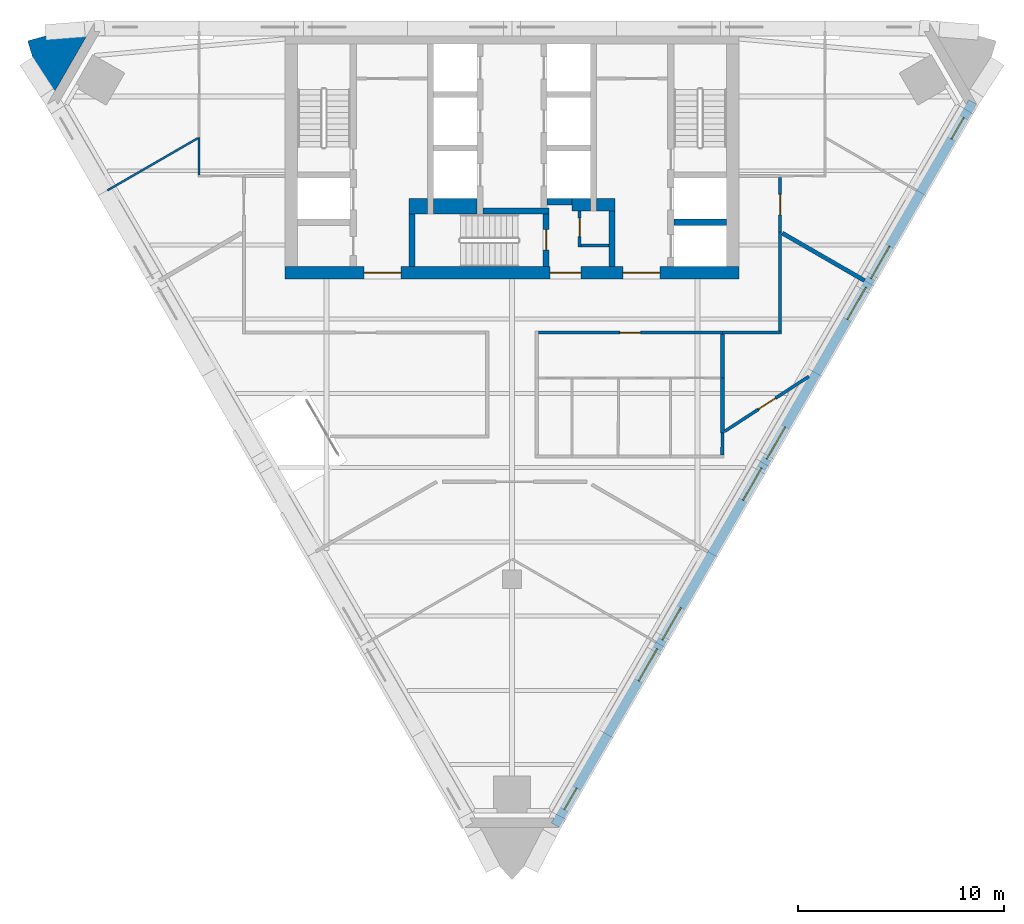
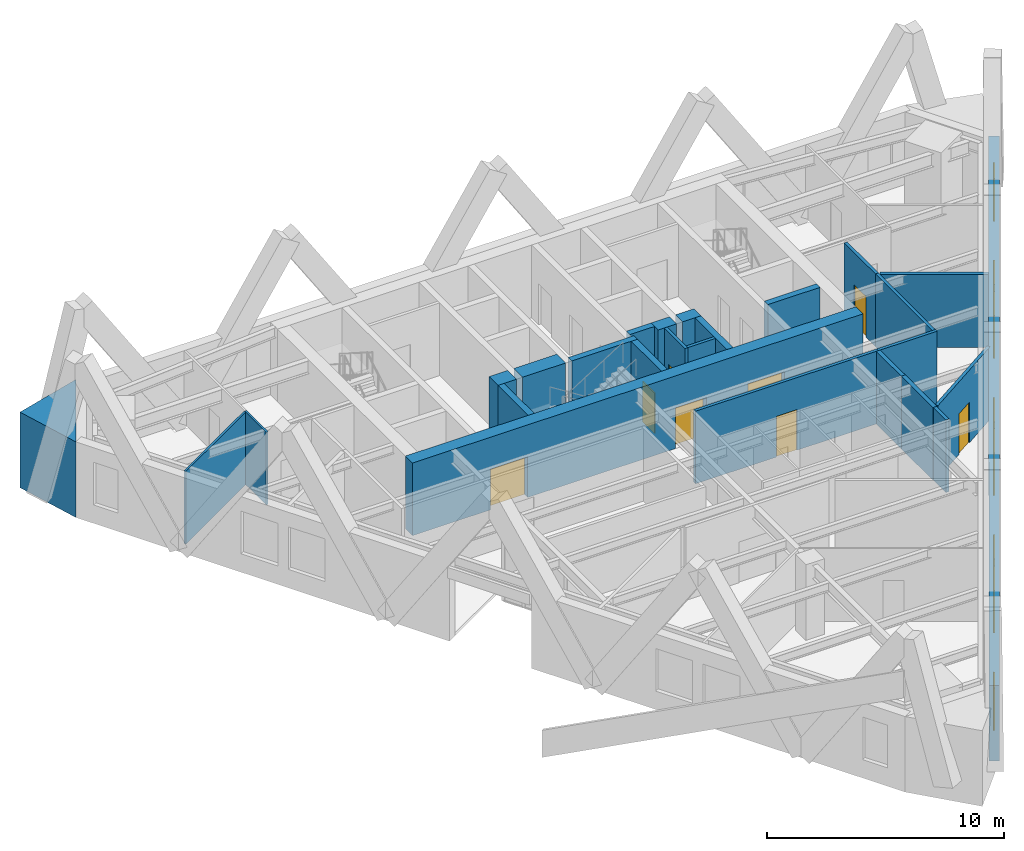
# One storey, part 5 of 9: 26 walls, 8 doors, 8 windows, 16 openings.
"""IFC4 building model written with IfcOpenShell, lengths in metres."""

from ifc_helpers import new_model, si_unit, direction, frame, frame_2d, origin, place, context, subcontext, project, spatial, polyline, rectangle, outline, extrude, material, layer, layer_set, type_object, element, fill, save


model = new_model("IFC4")

# Units and contexts
model_context = context("Model", 3, precision=1e-05, world=origin(), true_north=direction((0.0, 1.0)))
body_context = subcontext(model_context, "Body", "Model", "MODEL_VIEW")
ifc_project = project(units=[si_unit("LENGTHUNIT", "METRE"), si_unit("AREAUNIT", "SQUARE_METRE"), si_unit("VOLUMEUNIT", "CUBIC_METRE"), si_unit("PLANEANGLEUNIT", "RADIAN"), si_unit("MASSUNIT", "GRAM", prefix="KILO")], contexts=[model_context])

# Site, building, storey
site_placement = place(None, origin())
site = spatial("IfcSite", under=ifc_project, at=site_placement, CompositionType="ELEMENT")
building_placement = place(site_placement, origin())
building = spatial("IfcBuilding", under=site, at=building_placement, Name="Aloe Facet Convention Tower", CompositionType="ELEMENT")
storey_placement = place(building_placement, frame((0.0, 0.0, 152.0)))
storey = spatial("IfcBuildingStorey", under=building, at=storey_placement, Name="L38", CompositionType="ELEMENT", Elevation=152.0)

# Wall, opening, door
ifc_material_1 = material(Name="Concrete blockwork partition", Category="masonry")
ifc_layer_1 = layer(ifc_material_1, 0.14990234375)
ifc_layer_set_1 = layer_set([ifc_layer_1], Name="CR-W-PART150")
wall_type_1 = type_object("IfcWallType", Name="CR-W-PART150", PredefinedType="PARTITIONING", material=ifc_layer_set_1)
wall_1_placement = place(storey_placement, frame((83.27490234375, 125.85009765625, 0.0), z_axis=(0.0, 0.0, 1.0), x_axis=(0.0, -1.0, 0.0)))
wall_1 = element("IfcWall", 1, at=wall_1_placement, inside=storey, type_object=wall_type_1, Name="Core partition L38-022", PredefinedType="PARTITIONING", context=body_context, shape_type="SweptSolid", body=[
    extrude(rectangle(XDim=1.75, YDim=0.14990234375, at=frame_2d((0.875, 0.0))), origin(), (0.0, 0.0, 1.0), 3.75),
])
opening_1_placement = place(wall_1_placement, frame((0.35009765625, 0.0, 0.0)))
opening_1 = element("IfcOpeningElement", 2, at=opening_1_placement, cuts=wall_1, Name="Opening L38-CD12", PredefinedType="OPENING", context=body_context, shape_type="SweptSolid", body=[
    extrude(rectangle(XDim=0.89990234375, YDim=2.10009765625, at=frame_2d((0.449951171875, 1.050048828125))), frame((0.0, 0.0849609375, 0.0), z_axis=(0.0, -1.0, 0.0), x_axis=(1.0, 0.0, 0.0)), (0.0, 0.0, 1.0), 0.169921875),
])
ifc_material_2 = material(Name="Steel fire-resisting door set FD60", Category="steel")
door_type_1 = type_object("IfcDoorType", Name="CR-D-REFUGE-900-FD60-SRIGHT", OperationType="SINGLE_SWING_RIGHT", PredefinedType="DOOR", material=ifc_material_2)
door_1_placement = place(opening_1_placement, origin())
door_1 = element("IfcDoor", 3, at=door_1_placement, inside=storey, type_object=door_type_1, Name="Core door L38-CD12", OperationType="SINGLE_SWING_RIGHT", OverallHeight=2.10009765625, OverallWidth=0.89990234375, PredefinedType="DOOR", context=body_context, shape_type="SweptSolid", body=[
    extrude(rectangle(XDim=0.89990234375, YDim=2.10009765625, at=frame_2d((0.449951171875, 1.050048828125))), frame((0.0, 0.02490234375, 0.0), z_axis=(0.0, -1.0, 0.0), x_axis=(1.0, 0.0, 0.0)), (0.0, 0.0, 1.0), 0.050048828125),
])
fill(opening_1, door_1)

# Walls
wall_2_placement = place(storey_placement, frame((83.35009765625, 124.175048828125, 0.0), z_axis=(0.0, 0.0, 1.0), x_axis=(1.0, 0.0, 0.0)))
element("IfcWall", 4, at=wall_2_placement, inside=storey, type_object=wall_type_1, Name="Core partition L38-023", PredefinedType="PARTITIONING", context=body_context, shape_type="SweptSolid", body=[
    extrude(rectangle(XDim=1.349853515625, YDim=0.14990234375, at=frame_2d((0.6748046875, 0.0))), origin(), (0.0, 0.0, 1.0), 3.75),
])
ifc_material_3 = material(Name="Concrete C60/75", Category="concrete")
ifc_layer_2 = layer(ifc_material_3, 0.300048828125)
ifc_layer_set_2 = layer_set([ifc_layer_2], Name="CR-W-RC300-C6075")
wall_type_2 = type_object("IfcWallType", Name="CR-W-RC300-C6075", PredefinedType="SOLIDWALL", material=ifc_layer_set_2)
wall_3_placement = place(storey_placement, frame((75.14990234375, 125.699951171875, 0.0), z_axis=(0.0, 0.0, 1.0), x_axis=(0.0, -1.0, 0.0)))
element("IfcWall", 5, at=wall_3_placement, inside=storey, type_object=wall_type_2, Name="Core wall L38-009", PredefinedType="SOLIDWALL", context=body_context, shape_type="SweptSolid", body=[
    extrude(rectangle(XDim=2.550048828125, YDim=0.300048828125, at=frame_2d((1.27490234375, 0.0))), origin(), (0.0, 0.0, 1.0), 3.75),
])
wall_4_placement = place(storey_placement, frame((78.60009765625, 125.85009765625, 0.0), z_axis=(0.0, 0.0, 1.0), x_axis=(1.0, 0.0, 0.0)))
element("IfcWall", 6, at=wall_4_placement, inside=storey, type_object=wall_type_2, Name="Core wall L38-015", PredefinedType="SOLIDWALL", context=body_context, shape_type="SweptSolid", body=[
    extrude(rectangle(XDim=3.199951171875, YDim=0.300048828125, at=frame_2d((1.60009765625, 0.0))), origin(), (0.0, 0.0, 1.0), 3.75),
])

# Wall, opening, door
wall_5_placement = place(storey_placement, frame((81.64990234375, 125.699951171875, 0.0), z_axis=(0.0, 0.0, 1.0), x_axis=(0.0, -1.0, 0.0)))
wall_5 = element("IfcWall", 7, at=wall_5_placement, inside=storey, type_object=wall_type_2, Name="Core wall L38-017", PredefinedType="SOLIDWALL", context=body_context, shape_type="SweptSolid", body=[
    extrude(rectangle(XDim=2.550048828125, YDim=0.300048828125, at=frame_2d((1.27490234375, 0.0))), origin(), (0.0, 0.0, 1.0), 3.75),
])
opening_2_placement = place(wall_5_placement, frame((0.75, 0.0, 0.0)))
opening_2 = element("IfcOpeningElement", 8, at=opening_2_placement, cuts=wall_5, Name="Opening L38-CD18", PredefinedType="OPENING", context=body_context, shape_type="SweptSolid", body=[
    extrude(rectangle(XDim=1.0, YDim=2.10009765625, at=frame_2d((0.5, 1.050048828125))), frame((0.0, 0.16015625, 0.0), z_axis=(0.0, -1.0, 0.0), x_axis=(1.0, 0.0, 0.0)), (0.0, 0.0, 1.0), 0.320068359375),
])
ifc_material_4 = material(Name="Steel fire-resisting door set FD120", Category="steel")
door_type_2 = type_object("IfcDoorType", Name="CR-D-STAIR-1000-FD120-SLEFT", OperationType="SINGLE_SWING_LEFT", PredefinedType="DOOR", material=ifc_material_4)
door_2_placement = place(opening_2_placement, origin())
door_2 = element("IfcDoor", 9, at=door_2_placement, inside=storey, type_object=door_type_2, Name="Core door L38-CD18", OperationType="SINGLE_SWING_LEFT", OverallHeight=2.10009765625, OverallWidth=1.0, PredefinedType="DOOR", context=body_context, shape_type="SweptSolid", body=[
    extrude(rectangle(XDim=1.0, YDim=2.10009765625, at=frame_2d((0.5, 1.050048828125))), frame((0.0, 0.02490234375, 0.0), z_axis=(0.0, -1.0, 0.0), x_axis=(1.0, 0.0, 0.0)), (0.0, 0.0, 1.0), 0.050048828125),
])
fill(opening_2, door_2)

# Walls
wall_6_placement = place(storey_placement, frame((81.699951171875, 126.300048828125, 0.0), z_axis=(0.0, 0.0, 1.0), x_axis=(1.0, 0.0, 0.0)))
element("IfcWall", 10, at=wall_6_placement, inside=storey, type_object=wall_type_2, Name="Core wall L38-020", PredefinedType="SOLIDWALL", context=body_context, shape_type="SweptSolid", body=[
    extrude(rectangle(XDim=1.199951171875, YDim=0.300048828125, at=frame_2d((0.60009765625, 0.0))), origin(), (0.0, 0.0, 1.0), 3.75),
])
wall_7_placement = place(storey_placement, frame((84.85009765625, 125.85009765625, 0.0), z_axis=(0.0, 0.0, 1.0), x_axis=(0.0, -1.0, 0.0)))
element("IfcWall", 11, at=wall_7_placement, inside=storey, type_object=wall_type_2, Name="Core wall L38-027", PredefinedType="SOLIDWALL", context=body_context, shape_type="SweptSolid", body=[
    extrude(rectangle(XDim=2.7001953125, YDim=0.300048828125, at=frame_2d((1.35009765625, 0.0))), origin(), (0.0, 0.0, 1.0), 3.75),
])
wall_8_placement = place(storey_placement, frame((87.85009765625, 125.300048828125, 0.0), z_axis=(0.0, 0.0, 1.0), x_axis=(1.0, 0.0, 0.0)))
element("IfcWall", 12, at=wall_8_placement, inside=storey, type_object=wall_type_2, Name="Core wall L38-030", PredefinedType="SOLIDWALL", context=body_context, shape_type="SweptSolid", body=[
    extrude(rectangle(XDim=2.5498046875, YDim=0.300048828125, at=frame_2d((1.27490234375, 0.0))), origin(), (0.0, 0.0, 1.0), 3.75),
])

# Wall, openings, doors
ifc_material_5 = material(Name="Concrete C60/75", Category="concrete")
ifc_layer_3 = layer(ifc_material_5, 0.60009765625)
ifc_layer_set_3 = layer_set([ifc_layer_3], Name="CR-W-RC600-C6075")
wall_type_3 = type_object("IfcWallType", Name="CR-W-RC600-C6075", PredefinedType="SOLIDWALL", material=ifc_layer_set_3)
wall_9_placement = place(storey_placement, frame((69.0, 122.85009765625, 0.0), z_axis=(0.0, 0.0, 1.0), x_axis=(1.0, 0.0, 0.0)))
wall_9 = element("IfcWall", 13, at=wall_9_placement, inside=storey, type_object=wall_type_3, Name="Core wall L38-003", PredefinedType="SOLIDWALL", context=body_context, shape_type="SweptSolid", body=[
    extrude(rectangle(XDim=22.0, YDim=0.60009765625, at=frame_2d((11.0, 0.0))), origin(), (0.0, 0.0, 1.0), 3.75),
])
opening_3_placement = place(wall_9_placement, frame((16.375, 0.0, 0.0)))
opening_3 = element("IfcOpeningElement", 14, at=opening_3_placement, cuts=wall_9, Name="Opening L38-CD09", PredefinedType="OPENING", context=body_context, shape_type="SweptSolid", body=[
    extrude(rectangle(XDim=1.800048828125, YDim=2.10009765625, at=frame_2d((0.89990234375, 1.050048828125))), frame((0.0, 0.31005859375, 0.0), z_axis=(0.0, -1.0, 0.0), x_axis=(1.0, 0.0, 0.0)), (0.0, 0.0, 1.0), 0.6201171875),
])
opening_4_placement = place(wall_9_placement, frame((3.824951171875, 0.0, 0.0)))
opening_4 = element("IfcOpeningElement", 15, at=opening_4_placement, cuts=wall_9, Name="Opening L38-CD10", PredefinedType="OPENING", context=body_context, shape_type="SweptSolid", body=[
    extrude(rectangle(XDim=1.800048828125, YDim=2.10009765625, at=frame_2d((0.89990234375, 1.050048828125))), frame((0.0, 0.31005859375, 0.0), z_axis=(0.0, -1.0, 0.0), x_axis=(1.0, 0.0, 0.0)), (0.0, 0.0, 1.0), 0.6201171875),
])
opening_5_placement = place(wall_9_placement, frame((12.85009765625, 0.0, 0.0)))
opening_5 = element("IfcOpeningElement", 16, at=opening_5_placement, cuts=wall_9, Name="Opening L38-CD11", PredefinedType="OPENING", context=body_context, shape_type="SweptSolid", body=[
    extrude(rectangle(XDim=1.5, YDim=2.10009765625, at=frame_2d((0.75, 1.050048828125))), frame((0.0, 0.31005859375, 0.0), z_axis=(0.0, -1.0, 0.0), x_axis=(1.0, 0.0, 0.0)), (0.0, 0.0, 1.0), 0.6201171875),
])
ifc_material_6 = material(Name="Steel fire-resisting door set FD60", Category="steel")
door_type_3 = type_object("IfcDoorType", Name="CR-D-EXIT-1500-FD60-DD", OperationType="DOUBLE_DOOR_DOUBLE_SWING", PredefinedType="DOOR", material=ifc_material_6)
door_3_placement = place(opening_5_placement, origin())
door_3 = element("IfcDoor", 17, at=door_3_placement, inside=storey, type_object=door_type_3, Name="Core door L38-CD11", OperationType="DOUBLE_DOOR_DOUBLE_SWING", OverallHeight=2.10009765625, OverallWidth=1.5, PredefinedType="DOOR", context=body_context, shape_type="SweptSolid", body=[
    extrude(rectangle(XDim=1.5, YDim=2.10009765625, at=frame_2d((0.75, 1.050048828125))), frame((0.0, 0.02490234375, 0.0), z_axis=(0.0, -1.0, 0.0), x_axis=(1.0, 0.0, 0.0)), (0.0, 0.0, 1.0), 0.050048828125),
])
fill(opening_5, door_3)
ifc_material_7 = material(Name="Steel fire-resisting door set FD120", Category="steel")
door_type_4 = type_object("IfcDoorType", Name="CR-D-EXIT-1800-FD120-DD", OperationType="DOUBLE_DOOR_DOUBLE_SWING", PredefinedType="DOOR", material=ifc_material_7)
door_4_placement = place(opening_3_placement, origin())
door_4 = element("IfcDoor", 18, at=door_4_placement, inside=storey, type_object=door_type_4, Name="Core door L38-CD09", OperationType="DOUBLE_DOOR_DOUBLE_SWING", OverallHeight=2.10009765625, OverallWidth=1.800048828125, PredefinedType="DOOR", context=body_context, shape_type="SweptSolid", body=[
    extrude(rectangle(XDim=1.800048828125, YDim=2.10009765625, at=frame_2d((0.89990234375, 1.050048828125))), frame((0.0, 0.02490234375, 0.0), z_axis=(0.0, -1.0, 0.0), x_axis=(1.0, 0.0, 0.0)), (0.0, 0.0, 1.0), 0.050048828125),
])
fill(opening_3, door_4)
door_5_placement = place(opening_4_placement, origin())
door_5 = element("IfcDoor", 19, at=door_5_placement, inside=storey, type_object=door_type_4, Name="Core door L38-CD10", OperationType="DOUBLE_DOOR_DOUBLE_SWING", OverallHeight=2.10009765625, OverallWidth=1.800048828125, PredefinedType="DOOR", context=body_context, shape_type="SweptSolid", body=[
    extrude(rectangle(XDim=1.800048828125, YDim=2.10009765625, at=frame_2d((0.89990234375, 1.050048828125))), frame((0.0, 0.02490234375, 0.0), z_axis=(0.0, -1.0, 0.0), x_axis=(1.0, 0.0, 0.0)), (0.0, 0.0, 1.0), 0.050048828125),
])
fill(opening_4, door_5)

# Walls
wall_10_placement = place(storey_placement, frame((82.89990234375, 126.14990234375, 0.0), z_axis=(0.0, 0.0, 1.0), x_axis=(1.0, 0.0, 0.0)))
element("IfcWall", 20, at=wall_10_placement, inside=storey, type_object=wall_type_3, Name="Core wall L38-021", PredefinedType="SOLIDWALL", context=body_context, shape_type="SweptSolid", body=[
    extrude(rectangle(XDim=0.900146484375, YDim=0.60009765625, at=frame_2d((0.4501953125, 0.0))), origin(), (0.0, 0.0, 1.0), 3.75),
])
wall_11_placement = place(storey_placement, frame((84.10009765625, 126.14990234375, 0.0), z_axis=(0.0, 0.0, 1.0), x_axis=(1.0, 0.0, 0.0)))
element("IfcWall", 21, at=wall_11_placement, inside=storey, type_object=wall_type_3, Name="Core wall L38-026", PredefinedType="SOLIDWALL", context=body_context, shape_type="SweptSolid", body=[
    extrude(rectangle(XDim=0.89990234375, YDim=0.60009765625, at=frame_2d((0.449951171875, 0.0))), origin(), (0.0, 0.0, 1.0), 3.75),
])
ifc_material_8 = material(Name="Concrete C60/75", Category="concrete")
ifc_layer_4 = layer(ifc_material_8, 0.75)
ifc_layer_set_4 = layer_set([ifc_layer_4], Name="CR-W-RC750-C6075")
wall_type_4 = type_object("IfcWallType", Name="CR-W-RC750-C6075", PredefinedType="SOLIDWALL", material=ifc_layer_set_4)
wall_12_placement = place(storey_placement, frame((75.0, 126.074951171875, 0.0), z_axis=(0.0, 0.0, 1.0), x_axis=(1.0, 0.0, 0.0)))
element("IfcWall", 22, at=wall_12_placement, inside=storey, type_object=wall_type_4, Name="Core wall L38-008", PredefinedType="SOLIDWALL", context=body_context, shape_type="SweptSolid", body=[
    extrude(rectangle(XDim=0.89990234375, YDim=0.75, at=frame_2d((0.449951171875, 0.0))), origin(), (0.0, 0.0, 1.0), 3.75),
])
wall_13_placement = place(storey_placement, frame((76.199951171875, 126.074951171875, 0.0), z_axis=(0.0, 0.0, 1.0), x_axis=(1.0, 0.0, 0.0)))
element("IfcWall", 23, at=wall_13_placement, inside=storey, type_object=wall_type_4, Name="Core wall L38-013", PredefinedType="SOLIDWALL", context=body_context, shape_type="SweptSolid", body=[
    extrude(rectangle(XDim=2.10009765625, YDim=0.75, at=frame_2d((1.050048828125, 0.0))), origin(), (0.0, 0.0, 1.0), 3.75),
])
ifc_material_9 = material(Name="Precast concrete C40/50", Category="concrete")
ifc_layer_5 = layer(ifc_material_9, 3.947998046875)
ifc_layer_set_5 = layer_set([ifc_layer_5], Name="EV-WALL-SPINE")
wall_type_5 = type_object("IfcWallType", Name="EV-WALL-SPINE", PredefinedType="SOLIDWALL", material=ifc_layer_set_5)
wall_14_placement = place(storey_placement, frame((0.0, 0.0, -0.14990234375)))
element("IfcWall", 24, at=wall_14_placement, inside=storey, type_object=wall_type_5, Name="SP-NW-L38", PredefinedType="SOLIDWALL", context=body_context, shape_type="SweptSolid", body=[
    extrude(outline(polyline([(59.7568359375, 135.0), (56.51171875, 134.09716796875), (57.45703125, 131.016357421875), (59.7568359375, 135.0)])), origin(), (0.0, 0.0, 1.0), 3.89990234375),
])

# Wall, openings, windows
ifc_material_10 = material(Name="Precast concrete C40/50", Category="concrete")
ifc_layer_6 = layer(ifc_material_10, 0.449951171875)
ifc_layer_set_6 = layer_set([ifc_layer_6], Name="EV-WALL-STONE")
wall_type_6 = type_object("IfcWallType", Name="EV-WALL-STONE", PredefinedType="SOLIDWALL", material=ifc_layer_set_6)
wall_15_placement = place(storey_placement, frame((82.105224609375, 96.066650390625, -0.14990234375), z_axis=(0.0, 0.0, 1.0), x_axis=(0.499997369791, 0.866026922331, 0.0)))
wall_15 = element("IfcWall", 25, at=wall_15_placement, inside=storey, type_object=wall_type_6, Name="EW-L38-E01", PredefinedType="SOLIDWALL", context=body_context, shape_type="SweptSolid", body=[
    extrude(outline(polyline([(40.486083984375, 0.0), (40.486083984375, 3.89990234375), (0.0, 3.89990234375), (0.0, 0.0), (40.486083984375, 0.0)])), frame((0.0, 0.22509765625, 0.0), z_axis=(0.0, -1.0, 0.0), x_axis=(1.0, 0.0, 0.0)), (0.0, 0.0, 1.0), 0.449951171875),
])
opening_6_placement = place(wall_15_placement, frame((0.86962890625, 0.0, 0.949951171875)))
opening_6 = element("IfcOpeningElement", 26, at=opening_6_placement, cuts=wall_15, Name="Opening W-L38-E01", PredefinedType="OPENING", context=body_context, shape_type="SweptSolid", body=[
    extrude(rectangle(XDim=1.199951171875, YDim=2.199951171875, at=frame_2d((0.60009765625, 1.10009765625))), frame((0.0, 0.23486328125, 0.0), z_axis=(0.0, -1.0, 0.0), x_axis=(1.0, 0.0, 0.0)), (0.0, 0.0, 1.0), 0.469970703125),
])
opening_7_placement = place(wall_15_placement, frame((8.071533203125, 0.0, 0.949951171875)))
opening_7 = element("IfcOpeningElement", 27, at=opening_7_placement, cuts=wall_15, Name="Opening W-L38-E02", PredefinedType="OPENING", context=body_context, shape_type="SweptSolid", body=[
    extrude(rectangle(XDim=1.800048828125, YDim=2.199951171875, at=frame_2d((0.89990234375, 1.10009765625))), frame((0.0, 0.23486328125, 0.0), z_axis=(0.0, -1.0, 0.0), x_axis=(1.0, 0.0, 0.0)), (0.0, 0.0, 1.0), 0.469970703125),
])
opening_8_placement = place(wall_15_placement, frame((10.37158203125, 0.0, 0.949951171875)))
opening_8 = element("IfcOpeningElement", 28, at=opening_8_placement, cuts=wall_15, Name="Opening W-L38-E03", PredefinedType="OPENING", context=body_context, shape_type="SweptSolid", body=[
    extrude(rectangle(XDim=1.800048828125, YDim=2.199951171875, at=frame_2d((0.89990234375, 1.10009765625))), frame((0.0, 0.23486328125, 0.0), z_axis=(0.0, -1.0, 0.0), x_axis=(1.0, 0.0, 0.0)), (0.0, 0.0, 1.0), 0.469970703125),
])
opening_9_placement = place(wall_15_placement, frame((18.193115234375, 0.0, 0.949951171875)))
opening_9 = element("IfcOpeningElement", 29, at=opening_9_placement, cuts=wall_15, Name="Opening W-L38-E04", PredefinedType="OPENING", context=body_context, shape_type="SweptSolid", body=[
    extrude(rectangle(XDim=1.800048828125, YDim=2.199951171875, at=frame_2d((0.89990234375, 1.10009765625))), frame((0.0, 0.23486328125, 0.0), z_axis=(0.0, -1.0, 0.0), x_axis=(1.0, 0.0, 0.0)), (0.0, 0.0, 1.0), 0.469970703125),
])
opening_10_placement = place(wall_15_placement, frame((20.4931640625, 0.0, 0.949951171875)))
opening_10 = element("IfcOpeningElement", 30, at=opening_10_placement, cuts=wall_15, Name="Opening W-L38-E05", PredefinedType="OPENING", context=body_context, shape_type="SweptSolid", body=[
    extrude(rectangle(XDim=1.800048828125, YDim=2.199951171875, at=frame_2d((0.89990234375, 1.10009765625))), frame((0.0, 0.23486328125, 0.0), z_axis=(0.0, -1.0, 0.0), x_axis=(1.0, 0.0, 0.0)), (0.0, 0.0, 1.0), 0.469970703125),
])
opening_11_placement = place(wall_15_placement, frame((28.314697265625, 0.0, 0.949951171875)))
opening_11 = element("IfcOpeningElement", 31, at=opening_11_placement, cuts=wall_15, Name="Opening W-L38-E06", PredefinedType="OPENING", context=body_context, shape_type="SweptSolid", body=[
    extrude(rectangle(XDim=1.800048828125, YDim=2.199951171875, at=frame_2d((0.89990234375, 1.10009765625))), frame((0.0, 0.23486328125, 0.0), z_axis=(0.0, -1.0, 0.0), x_axis=(1.0, 0.0, 0.0)), (0.0, 0.0, 1.0), 0.469970703125),
])
opening_12_placement = place(wall_15_placement, frame((30.614501953125, 0.0, 0.949951171875)))
opening_12 = element("IfcOpeningElement", 32, at=opening_12_placement, cuts=wall_15, Name="Opening W-L38-E07", PredefinedType="OPENING", context=body_context, shape_type="SweptSolid", body=[
    extrude(rectangle(XDim=1.800048828125, YDim=2.199951171875, at=frame_2d((0.89990234375, 1.10009765625))), frame((0.0, 0.23486328125, 0.0), z_axis=(0.0, -1.0, 0.0), x_axis=(1.0, 0.0, 0.0)), (0.0, 0.0, 1.0), 0.469970703125),
])
opening_13_placement = place(wall_15_placement, frame((38.41650390625, 0.0, 0.949951171875)))
opening_13 = element("IfcOpeningElement", 33, at=opening_13_placement, cuts=wall_15, Name="Opening W-L38-E08", PredefinedType="OPENING", context=body_context, shape_type="SweptSolid", body=[
    extrude(rectangle(XDim=1.199951171875, YDim=2.199951171875, at=frame_2d((0.60009765625, 1.10009765625))), frame((0.0, 0.23486328125, 0.0), z_axis=(0.0, -1.0, 0.0), x_axis=(1.0, 0.0, 0.0)), (0.0, 0.0, 1.0), 0.469970703125),
])
ifc_material_11 = material(Name="Aluminium frame, clear double glazing", Category="aluminium")
window_type_1 = type_object("IfcWindowType", Name="EV-WIN-O12", PartitioningType="SINGLE_PANEL", PredefinedType="WINDOW", material=ifc_material_11)
window_1_placement = place(opening_6_placement, origin())
window_1 = element("IfcWindow", 34, at=window_1_placement, inside=storey, type_object=window_type_1, Name="W-L38-E01", OverallHeight=2.199951171875, OverallWidth=1.199951171875, PartitioningType="SINGLE_PANEL", PredefinedType="WINDOW", context=body_context, shape_type="SweptSolid", body=[
    extrude(rectangle(XDim=1.199951171875, YDim=2.199951171875, at=frame_2d((0.60009765625, 1.10009765625))), frame((0.0, 0.030029296875, 0.0), z_axis=(0.0, -1.0, 0.0), x_axis=(1.0, 0.0, 0.0)), (0.0, 0.0, 1.0), 0.06005859375),
])
fill(opening_6, window_1)
window_2_placement = place(opening_13_placement, origin())
window_2 = element("IfcWindow", 35, at=window_2_placement, inside=storey, type_object=window_type_1, Name="W-L38-E08", OverallHeight=2.199951171875, OverallWidth=1.199951171875, PartitioningType="SINGLE_PANEL", PredefinedType="WINDOW", context=body_context, shape_type="SweptSolid", body=[
    extrude(rectangle(XDim=1.199951171875, YDim=2.199951171875, at=frame_2d((0.60009765625, 1.10009765625))), frame((0.0, 0.030029296875, 0.0), z_axis=(0.0, -1.0, 0.0), x_axis=(1.0, 0.0, 0.0)), (0.0, 0.0, 1.0), 0.06005859375),
])
fill(opening_13, window_2)
ifc_material_12 = material(Name="Aluminium frame, clear double glazing", Category="aluminium")
window_type_2 = type_object("IfcWindowType", Name="EV-WIN-O18", PartitioningType="SINGLE_PANEL", PredefinedType="WINDOW", material=ifc_material_12)
window_3_placement = place(opening_7_placement, origin())
window_3 = element("IfcWindow", 36, at=window_3_placement, inside=storey, type_object=window_type_2, Name="W-L38-E02", OverallHeight=2.199951171875, OverallWidth=1.800048828125, PartitioningType="SINGLE_PANEL", PredefinedType="WINDOW", context=body_context, shape_type="SweptSolid", body=[
    extrude(rectangle(XDim=1.800048828125, YDim=2.199951171875, at=frame_2d((0.89990234375, 1.10009765625))), frame((0.0, 0.030029296875, 0.0), z_axis=(0.0, -1.0, 0.0), x_axis=(1.0, 0.0, 0.0)), (0.0, 0.0, 1.0), 0.06005859375),
])
fill(opening_7, window_3)
window_4_placement = place(opening_8_placement, origin())
window_4 = element("IfcWindow", 37, at=window_4_placement, inside=storey, type_object=window_type_2, Name="W-L38-E03", OverallHeight=2.199951171875, OverallWidth=1.800048828125, PartitioningType="SINGLE_PANEL", PredefinedType="WINDOW", context=body_context, shape_type="SweptSolid", body=[
    extrude(rectangle(XDim=1.800048828125, YDim=2.199951171875, at=frame_2d((0.89990234375, 1.10009765625))), frame((0.0, 0.030029296875, 0.0), z_axis=(0.0, -1.0, 0.0), x_axis=(1.0, 0.0, 0.0)), (0.0, 0.0, 1.0), 0.06005859375),
])
fill(opening_8, window_4)
window_5_placement = place(opening_9_placement, origin())
window_5 = element("IfcWindow", 38, at=window_5_placement, inside=storey, type_object=window_type_2, Name="W-L38-E04", OverallHeight=2.199951171875, OverallWidth=1.800048828125, PartitioningType="SINGLE_PANEL", PredefinedType="WINDOW", context=body_context, shape_type="SweptSolid", body=[
    extrude(rectangle(XDim=1.800048828125, YDim=2.199951171875, at=frame_2d((0.89990234375, 1.10009765625))), frame((0.0, 0.030029296875, 0.0), z_axis=(0.0, -1.0, 0.0), x_axis=(1.0, 0.0, 0.0)), (0.0, 0.0, 1.0), 0.06005859375),
])
fill(opening_9, window_5)
window_6_placement = place(opening_10_placement, origin())
window_6 = element("IfcWindow", 39, at=window_6_placement, inside=storey, type_object=window_type_2, Name="W-L38-E05", OverallHeight=2.199951171875, OverallWidth=1.800048828125, PartitioningType="SINGLE_PANEL", PredefinedType="WINDOW", context=body_context, shape_type="SweptSolid", body=[
    extrude(rectangle(XDim=1.800048828125, YDim=2.199951171875, at=frame_2d((0.89990234375, 1.10009765625))), frame((0.0, 0.030029296875, 0.0), z_axis=(0.0, -1.0, 0.0), x_axis=(1.0, 0.0, 0.0)), (0.0, 0.0, 1.0), 0.06005859375),
])
fill(opening_10, window_6)
window_7_placement = place(opening_11_placement, origin())
window_7 = element("IfcWindow", 40, at=window_7_placement, inside=storey, type_object=window_type_2, Name="W-L38-E06", OverallHeight=2.199951171875, OverallWidth=1.800048828125, PartitioningType="SINGLE_PANEL", PredefinedType="WINDOW", context=body_context, shape_type="SweptSolid", body=[
    extrude(rectangle(XDim=1.800048828125, YDim=2.199951171875, at=frame_2d((0.89990234375, 1.10009765625))), frame((0.0, 0.030029296875, 0.0), z_axis=(0.0, -1.0, 0.0), x_axis=(1.0, 0.0, 0.0)), (0.0, 0.0, 1.0), 0.06005859375),
])
fill(opening_11, window_7)
window_8_placement = place(opening_12_placement, origin())
window_8 = element("IfcWindow", 41, at=window_8_placement, inside=storey, type_object=window_type_2, Name="W-L38-E07", OverallHeight=2.199951171875, OverallWidth=1.800048828125, PartitioningType="SINGLE_PANEL", PredefinedType="WINDOW", context=body_context, shape_type="SweptSolid", body=[
    extrude(rectangle(XDim=1.800048828125, YDim=2.199951171875, at=frame_2d((0.89990234375, 1.10009765625))), frame((0.0, 0.030029296875, 0.0), z_axis=(0.0, -1.0, 0.0), x_axis=(1.0, 0.0, 0.0)), (0.0, 0.0, 1.0), 0.06005859375),
])
fill(opening_12, window_8)

# Wall
ifc_material_13 = material(Name="Gypsum board partition on steel studs", Category="steel")
ifc_layer_7 = layer(ifc_material_13, 0.14990234375)
ifc_layer_set_7 = layer_set([ifc_layer_7], Name="IN-W-CORR")
wall_type_7 = type_object("IfcWallType", Name="IN-W-CORR", PredefinedType="PARTITIONING", material=ifc_layer_set_7)
wall_16_placement = place(storey_placement, frame((90.1982421875, 114.02490234375, 0.0), z_axis=(0.0, 0.0, 1.0), x_axis=(0.001606976805, 0.999998708812, 0.0)))
element("IfcWall", 42, at=wall_16_placement, inside=storey, type_object=wall_type_7, Name="Partition L38-W010", PredefinedType="PARTITIONING", context=body_context, shape_type="SweptSolid", body=[
    extrude(rectangle(XDim=1.0634765625, YDim=0.14990234375, at=frame_2d((0.53173828125, 0.0))), origin(), (0.0, 0.0, 1.0), 3.75),
])

# Wall, opening, door
wall_17_placement = place(storey_placement, frame((90.32568359375, 115.17041015625, 0.0), z_axis=(0.0, 0.0, 1.0), x_axis=(0.837619592687, 0.546253986665, 0.0)))
wall_17 = element("IfcWall", 43, at=wall_17_placement, inside=storey, type_object=wall_type_7, Name="Partition L38-W014", PredefinedType="PARTITIONING", context=body_context, shape_type="SweptSolid", body=[
    extrude(rectangle(XDim=4.859130859375, YDim=0.14990234375, at=frame_2d((2.4296875, 0.0))), origin(), (0.0, 0.0, 1.0), 3.75),
])
opening_14_placement = place(wall_17_placement, frame((1.9296875, 0.0, 0.0)))
opening_14 = element("IfcOpeningElement", 44, at=opening_14_placement, cuts=wall_17, Name="Opening L38-010", PredefinedType="OPENING", context=body_context, shape_type="SweptSolid", body=[
    extrude(rectangle(XDim=1.0, YDim=2.10009765625, at=frame_2d((0.5, 1.050048828125))), frame((0.0, 0.0849609375, 0.0), z_axis=(0.0, -1.0, 0.0), x_axis=(1.0, 0.0, 0.0)), (0.0, 0.0, 1.0), 0.169921875),
])
ifc_material_14 = material(Name="Timber door FD30S with vision panel", Category="wood")
door_type_5 = type_object("IfcDoorType", Name="IN-OFF-D-ENTRY", OperationType="SINGLE_SWING_LEFT", PredefinedType="DOOR", material=ifc_material_14)
door_6_placement = place(opening_14_placement, origin())
door_6 = element("IfcDoor", 45, at=door_6_placement, inside=storey, type_object=door_type_5, Name="Door L38-010", OperationType="SINGLE_SWING_LEFT", OverallHeight=2.10009765625, OverallWidth=1.0, PredefinedType="DOOR", context=body_context, shape_type="SweptSolid", body=[
    extrude(rectangle(XDim=1.0, YDim=2.10009765625, at=frame_2d((0.5, 1.050048828125))), frame((0.0, 0.02490234375, 0.0), z_axis=(0.0, -1.0, 0.0), x_axis=(1.0, 0.0, 0.0)), (0.0, 0.0, 1.0), 0.050048828125),
])
fill(opening_14, door_6)

wall_18_placement = place(storey_placement, frame((81.27490234375, 119.947998046875, 0.0), z_axis=(0.0, 0.0, 1.0), x_axis=(0.999999976055, 0.000218836333, 0.0)))
wall_18 = element("IfcWall", 46, at=wall_18_placement, inside=storey, type_object=wall_type_7, Name="Partition L38-W027", PredefinedType="PARTITIONING", context=body_context, shape_type="SweptSolid", body=[
    extrude(rectangle(XDim=8.925048828125, YDim=0.14990234375, at=frame_2d((4.46240234375, 0.0))), origin(), (0.0, 0.0, 1.0), 3.75),
])
opening_15_placement = place(wall_18_placement, frame((3.96240234375, 0.0, 0.0)))
opening_15 = element("IfcOpeningElement", 47, at=opening_15_placement, cuts=wall_18, Name="Opening L38-001", PredefinedType="OPENING", context=body_context, shape_type="SweptSolid", body=[
    extrude(rectangle(XDim=1.0, YDim=2.10009765625, at=frame_2d((0.5, 1.050048828125))), frame((0.0, 0.0849609375, 0.0), z_axis=(0.0, -1.0, 0.0), x_axis=(1.0, 0.0, 0.0)), (0.0, 0.0, 1.0), 0.169921875),
])
door_7_placement = place(opening_15_placement, origin())
door_7 = element("IfcDoor", 48, at=door_7_placement, inside=storey, type_object=door_type_5, Name="Door L38-001", OperationType="SINGLE_SWING_LEFT", OverallHeight=2.10009765625, OverallWidth=1.0, PredefinedType="DOOR", context=body_context, shape_type="SweptSolid", body=[
    extrude(rectangle(XDim=1.0, YDim=2.10009765625, at=frame_2d((0.5, 1.050048828125))), frame((0.0, 0.02490234375, 0.0), z_axis=(0.0, -1.0, 0.0), x_axis=(1.0, 0.0, 0.0)), (0.0, 0.0, 1.0), 0.050048828125),
])
fill(opening_15, door_7)

# Walls
wall_19_placement = place(storey_placement, frame((90.199951171875, 119.949951171875, 0.0), z_axis=(0.0, 0.0, 1.0), x_axis=(1.0, 0.0, 0.0)))
element("IfcWall", 49, at=wall_19_placement, inside=storey, type_object=wall_type_7, Name="Partition L38-W028", PredefinedType="PARTITIONING", context=body_context, shape_type="SweptSolid", body=[
    extrude(rectangle(XDim=2.875, YDim=0.14990234375, at=frame_2d((1.4375, 0.0))), origin(), (0.0, 0.0, 1.0), 3.75),
])
wall_20_placement = place(storey_placement, frame((93.0, 120.02490234375, 0.0), z_axis=(0.0, 0.0, 1.0), x_axis=(0.0, 1.0, 0.0)))
element("IfcWall", 50, at=wall_20_placement, inside=storey, type_object=wall_type_7, Name="Partition L38-W032", PredefinedType="PARTITIONING", context=body_context, shape_type="SweptSolid", body=[
    extrude(rectangle(XDim=4.813720703125, YDim=0.14990234375, at=frame_2d((2.40673828125, 0.0))), origin(), (0.0, 0.0, 1.0), 3.75),
])

# Wall, opening, door
wall_21_placement = place(storey_placement, frame((93.0, 124.838623046875, 0.0), z_axis=(0.0, 0.0, 1.0), x_axis=(0.0, 1.0, 0.0)))
wall_21 = element("IfcWall", 51, at=wall_21_placement, inside=storey, type_object=wall_type_7, Name="Partition L38-W037", PredefinedType="PARTITIONING", context=body_context, shape_type="SweptSolid", body=[
    extrude(rectangle(XDim=2.636474609375, YDim=0.14990234375, at=frame_2d((1.318359375, 0.0))), origin(), (0.0, 0.0, 1.0), 3.75),
])
opening_16_placement = place(wall_21_placement, frame((0.818115234375, 0.0, 0.0)))
opening_16 = element("IfcOpeningElement", 52, at=opening_16_placement, cuts=wall_21, Name="Opening L38-011", PredefinedType="OPENING", context=body_context, shape_type="SweptSolid", body=[
    extrude(rectangle(XDim=1.0, YDim=2.10009765625, at=frame_2d((0.5, 1.050048828125))), frame((0.0, 0.0849609375, 0.0), z_axis=(0.0, -1.0, 0.0), x_axis=(1.0, 0.0, 0.0)), (0.0, 0.0, 1.0), 0.169921875),
])
door_8_placement = place(opening_16_placement, origin())
door_8 = element("IfcDoor", 53, at=door_8_placement, inside=storey, type_object=door_type_5, Name="Door L38-011", OperationType="SINGLE_SWING_LEFT", OverallHeight=2.10009765625, OverallWidth=1.0, PredefinedType="DOOR", context=body_context, shape_type="SweptSolid", body=[
    extrude(rectangle(XDim=1.0, YDim=2.10009765625, at=frame_2d((0.5, 1.050048828125))), frame((0.0, 0.02490234375, 0.0), z_axis=(0.0, -1.0, 0.0), x_axis=(1.0, 0.0, 0.0)), (0.0, 0.0, 1.0), 0.050048828125),
])
fill(opening_16, door_8)

# Walls
ifc_material_15 = material(Name="Gypsum board partition on steel studs", Category="steel")
ifc_layer_8 = layer(ifc_material_15, 0.10009765625)
ifc_layer_set_8 = layer_set([ifc_layer_8], Name="IN-W-PART")
wall_type_8 = type_object("IfcWallType", Name="IN-W-PART", PredefinedType="PARTITIONING", material=ifc_layer_set_8)
wall_22_placement = place(storey_placement, frame((60.3818359375, 126.85009765625, 0.0), z_axis=(0.0, 0.0, 1.0), x_axis=(0.866041859802, 0.499971496258, 0.0)))
element("IfcWall", 54, at=wall_22_placement, inside=storey, type_object=wall_type_8, Name="Partition L38-W040", PredefinedType="PARTITIONING", context=body_context, shape_type="SweptSolid", body=[
    extrude(rectangle(XDim=5.063232421875, YDim=0.10009765625, at=frame_2d((2.53173828125, 0.0))), origin(), (0.0, 0.0, 1.0), 3.75),
])
wall_23_placement = place(storey_placement, frame((64.828125, 127.60009765625, 0.0), z_axis=(0.0, 0.0, 1.0), x_axis=(-0.000268781068, 0.999999963878, 0.0)))
element("IfcWall", 55, at=wall_23_placement, inside=storey, type_object=wall_type_8, Name="Partition L38-W041", PredefinedType="PARTITIONING", context=body_context, shape_type="SweptSolid", body=[
    extrude(rectangle(XDim=1.816650390625, YDim=0.10009765625, at=frame_2d((0.908203125, 0.0))), origin(), (0.0, 0.0, 1.0), 3.75),
])
ifc_material_16 = material(Name="Gypsum board partition on steel studs", Category="steel")
ifc_layer_9 = layer(ifc_material_16, 0.199951171875)
ifc_layer_set_9 = layer_set([ifc_layer_9], Name="IN-W-PARTY")
wall_type_9 = type_object("IfcWallType", Name="IN-W-PARTY", PredefinedType="PARTITIONING", material=ifc_layer_set_9)
wall_24_placement = place(storey_placement, frame((90.199951171875, 115.08837890625, 0.0), z_axis=(0.0, 0.0, 1.0), x_axis=(0.0, 1.0, 0.0)))
element("IfcWall", 56, at=wall_24_placement, inside=storey, type_object=wall_type_9, Name="Partition L38-W013", PredefinedType="PARTITIONING", context=body_context, shape_type="SweptSolid", body=[
    extrude(rectangle(XDim=2.671630859375, YDim=0.199951171875, at=frame_2d((1.3359375, 0.0))), origin(), (0.0, 0.0, 1.0), 3.75),
])
wall_25_placement = place(storey_placement, frame((90.199951171875, 117.760009765625, 0.0), z_axis=(0.0, 0.0, 1.0), x_axis=(0.0, 1.0, 0.0)))
element("IfcWall", 57, at=wall_25_placement, inside=storey, type_object=wall_type_9, Name="Partition L38-W015", PredefinedType="PARTITIONING", context=body_context, shape_type="SweptSolid", body=[
    extrude(rectangle(XDim=2.114990234375, YDim=0.199951171875, at=frame_2d((1.0576171875, 0.0))), origin(), (0.0, 0.0, 1.0), 3.75),
])
wall_26_placement = place(storey_placement, frame((93.108154296875, 124.776123046875, 0.0), z_axis=(0.0, 0.0, 1.0), x_axis=(0.866033592927, -0.499985815721, 0.0)))
element("IfcWall", 58, at=wall_26_placement, inside=storey, type_object=wall_type_9, Name="Partition L38-W030", PredefinedType="PARTITIONING", context=body_context, shape_type="SweptSolid", body=[
    extrude(rectangle(XDim=4.600830078125, YDim=0.199951171875, at=frame_2d((2.30029296875, 0.0))), origin(), (0.0, 0.0, 1.0), 3.75),
])

save(model, "model.ifc")
